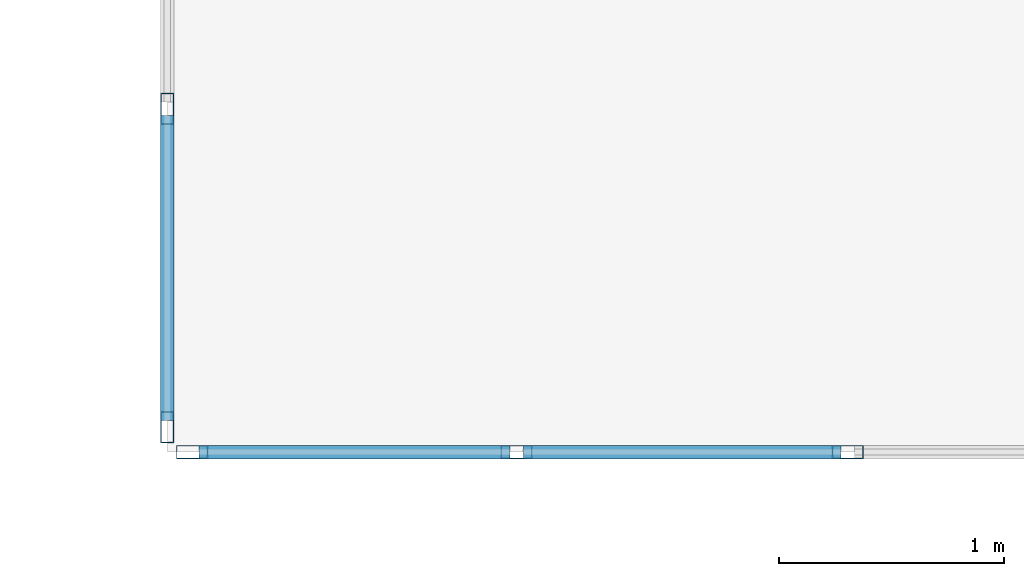
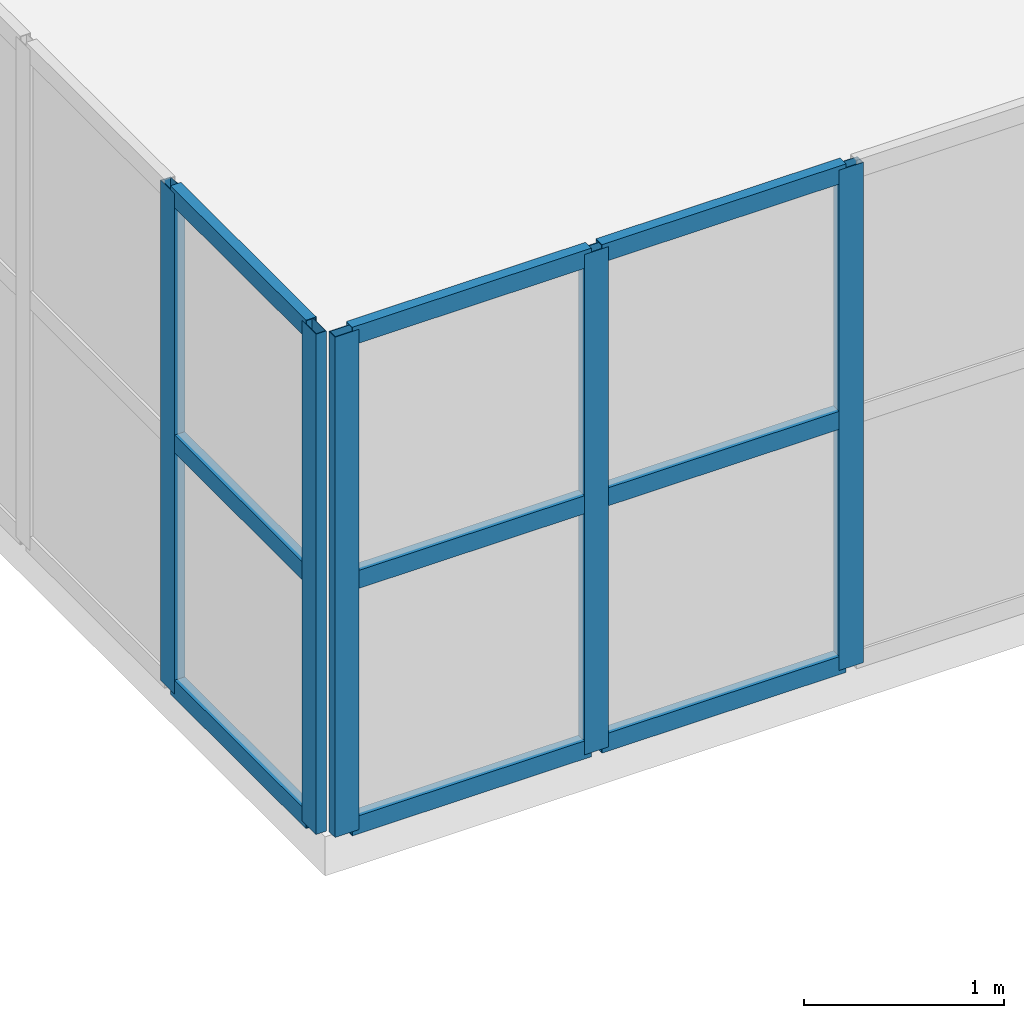
# One storey, part 40 of 148: 14 members, 2 elements without a shape of their own.
"""IFC4 building model written with IfcOpenShell, lengths in metres."""

from ifc_helpers import new_model, si_unit, direction, frame, origin, origin_2d, place, context, subcontext, project, spatial, hollow_rectangle, extrude, material, layer, layer_set, material_profile, profile_set, type_object, element, aggregate, save


model = new_model("IFC4")

# Units and contexts
model_context = context("Model", 3, precision=1e-05, world=origin(), true_north=direction((0.0, 1.0)))
body_context = subcontext(model_context, "Body", "Model", "MODEL_VIEW")
ifc_project = project(units=[si_unit("LENGTHUNIT", "METRE"), si_unit("AREAUNIT", "SQUARE_METRE"), si_unit("VOLUMEUNIT", "CUBIC_METRE"), si_unit("PLANEANGLEUNIT", "RADIAN"), si_unit("MASSUNIT", "GRAM", prefix="KILO")], contexts=[model_context])

# Site, building, storey
site_placement = place(None, origin())
site = spatial("IfcSite", under=ifc_project, at=site_placement, CompositionType="ELEMENT")
building_placement = place(site_placement, origin())
building = spatial("IfcBuilding", under=site, at=building_placement, Name="Trelvath General Hospital", CompositionType="ELEMENT")
storey_placement = place(building_placement, frame((0.0, 0.0, 12.89990234375)))
storey = spatial("IfcBuildingStorey", under=building, at=storey_placement, Name="L03", CompositionType="ELEMENT", Elevation=12.89990234375)

# Curtain wall, members
ifc_material_1 = material(Name="Anodised aluminium and low-E glass", Category="aluminium")
ifc_layer_1 = layer(ifc_material_1, 0.14990234375)
ifc_layer_set_1 = layer_set([ifc_layer_1], Name="Anodised aluminium and low-E glass")
curtain_wall_type_1 = type_object("IfcCurtainWallType", Name="CW CrystalCube 737 306 15", PredefinedType="USERDEFINED", material=ifc_layer_set_1)
curtain_wall_1_placement = place(storey_placement, origin())
curtain_wall_1 = element("IfcCurtainWall", 1, at=curtain_wall_1_placement, inside=storey, type_object=curtain_wall_type_1, Name="Crystal Cube Curtain Wall CUBE-E-T1 S1 L03", ObjectType="Unitised Glazed Curtain Wall", PredefinedType="USERDEFINED")
ifc_material_2 = material(Name="Anodised aluminium", Category="aluminium")
ifc_material_profile_1 = material_profile(ifc_material_2, hollow_rectangle(XDim=0.06005859375, YDim=0.139892578125, WallThickness=0.00390625, at=origin_2d()), Name="RHS60x140x4")
ifc_profile_set_1 = profile_set([ifc_material_profile_1], Name="Anodised aluminium")
member_type_1 = type_object("IfcMemberType", Name="CurtainMullion 60x140", PredefinedType="MULLION", material=ifc_profile_set_1)
member_1_placement = place(storey_placement, frame((95.4267578125, 37.199951171875, 0.0), z_axis=(0.0, 0.0, 1.0), x_axis=(0.0, -1.0, 0.0)))
member_1 = element("IfcMember", 2, at=member_1_placement, type_object=member_type_1, Name="CW-244 mullion 4", PredefinedType="MULLION", context=body_context, shape_type="SweptSolid", body=[
    extrude(hollow_rectangle(XDim=0.06005859375, YDim=0.139892578125, WallThickness=0.00390625, at=origin_2d()), origin(), (0.0, 0.0, 1.0), 3.06005859375),
])
member_2_placement = place(storey_placement, frame((93.953369140625, 37.199951171875, 0.0), z_axis=(0.0, 0.0, 1.0), x_axis=(0.0, -1.0, 0.0)))
member_2 = element("IfcMember", 3, at=member_2_placement, type_object=member_type_1, Name="CW-244 mullion 5", PredefinedType="MULLION", context=body_context, shape_type="SweptSolid", body=[
    extrude(hollow_rectangle(XDim=0.06005859375, YDim=0.139892578125, WallThickness=0.00390625, at=origin_2d()), origin(), (0.0, 0.0, 1.0), 3.06005859375),
])
member_3_placement = place(storey_placement, frame((92.510009765625, 37.199951171875, 0.0), z_axis=(0.0, 0.0, 1.0), x_axis=(0.0, -1.0, 0.0)))
member_3 = element("IfcMember", 4, at=member_3_placement, type_object=member_type_1, Name="CW-244 mullion 6", PredefinedType="MULLION", context=body_context, shape_type="SweptSolid", body=[
    extrude(hollow_rectangle(XDim=0.06005859375, YDim=0.139892578125, WallThickness=0.00390625, at=origin_2d()), origin(), (0.0, 0.0, 1.0), 3.06005859375),
])

ifc_material_3 = material(Name="Anodised aluminium and low-E glass", Category="aluminium")
ifc_layer_2 = layer(ifc_material_3, 0.14990234375)
ifc_layer_set_2 = layer_set([ifc_layer_2], Name="Anodised aluminium and low-E glass")
curtain_wall_type_2 = type_object("IfcCurtainWallType", Name="CW CrystalCube 434 306 15", PredefinedType="USERDEFINED", material=ifc_layer_set_2)
curtain_wall_2_placement = place(storey_placement, origin())
curtain_wall_2 = element("IfcCurtainWall", 5, at=curtain_wall_2_placement, inside=storey, type_object=curtain_wall_type_2, Name="Crystal Cube Curtain Wall CUBE-E-T1 W1 L03", ObjectType="Unitised Glazed Curtain Wall", PredefinedType="USERDEFINED")
member_4_placement = place(storey_placement, frame((92.39990234375, 37.31005859375, 0.0), z_axis=(0.0, 0.0, 1.0), x_axis=(-1.0, 0.0, 0.0)))
member_4 = element("IfcMember", 6, at=member_4_placement, type_object=member_type_1, Name="CW-251 mullion 1", PredefinedType="MULLION", context=body_context, shape_type="SweptSolid", body=[
    extrude(hollow_rectangle(XDim=0.06005859375, YDim=0.139892578125, WallThickness=0.00390625, at=origin_2d()), origin(), (0.0, 0.0, 1.0), 3.06005859375),
])
member_5_placement = place(storey_placement, frame((92.39990234375, 38.7265625, 0.0), z_axis=(0.0, 0.0, 1.0), x_axis=(-1.0, 0.0, 0.0)))
member_5 = element("IfcMember", 7, at=member_5_placement, type_object=member_type_1, Name="CW-251 mullion 2", PredefinedType="MULLION", context=body_context, shape_type="SweptSolid", body=[
    extrude(hollow_rectangle(XDim=0.06005859375, YDim=0.139892578125, WallThickness=0.00390625, at=origin_2d()), origin(), (0.0, 0.0, 1.0), 3.06005859375),
])

# Member
ifc_material_4 = material(Name="Anodised aluminium", Category="aluminium")
ifc_material_profile_2 = material_profile(ifc_material_4, hollow_rectangle(XDim=0.06005859375, YDim=0.110107421875, WallThickness=0.00390625, at=origin_2d()), Name="RHS60x110x4")
ifc_profile_set_2 = profile_set([ifc_material_profile_2], Name="Anodised aluminium")
member_type_2 = type_object("IfcMemberType", Name="CurtainTransom 60x110", PredefinedType="USERDEFINED", material=ifc_profile_set_2)
member_6_placement = place(storey_placement, frame((95.396728515625, 37.199951171875, 0.030029296875), z_axis=(-1.0, 0.0, 0.0), x_axis=(0.0, -1.0, 0.0)))
member_6 = element("IfcMember", 8, at=member_6_placement, type_object=member_type_2, Name="CW-244 transom 4.1", ObjectType="TRANSOM", PredefinedType="USERDEFINED", context=body_context, shape_type="SweptSolid", body=[
    extrude(hollow_rectangle(XDim=0.06005859375, YDim=0.110107421875, WallThickness=0.00390625, at=origin_2d()), origin(), (0.0, 0.0, 1.0), 1.413330078125),
])

member_7_placement = place(storey_placement, frame((95.396728515625, 37.199951171875, 1.530029296875), z_axis=(-1.0, 0.0, 0.0), x_axis=(0.0, -1.0, 0.0)))
member_7 = element("IfcMember", 9, at=member_7_placement, type_object=member_type_2, Name="CW-244 transom 4.2", ObjectType="TRANSOM", PredefinedType="USERDEFINED", context=body_context, shape_type="SweptSolid", body=[
    extrude(hollow_rectangle(XDim=0.06005859375, YDim=0.110107421875, WallThickness=0.00390625, at=origin_2d()), origin(), (0.0, 0.0, 1.0), 1.413330078125),
])

member_8_placement = place(storey_placement, frame((95.396728515625, 37.199951171875, 3.030029296875), z_axis=(-1.0, 0.0, 0.0), x_axis=(0.0, -1.0, 0.0)))
member_8 = element("IfcMember", 10, at=member_8_placement, type_object=member_type_2, Name="CW-244 transom 4.3", ObjectType="TRANSOM", PredefinedType="USERDEFINED", context=body_context, shape_type="SweptSolid", body=[
    extrude(hollow_rectangle(XDim=0.06005859375, YDim=0.110107421875, WallThickness=0.00390625, at=origin_2d()), origin(), (0.0, 0.0, 1.0), 1.413330078125),
])

member_9_placement = place(storey_placement, frame((93.92333984375, 37.199951171875, 0.030029296875), z_axis=(-1.0, 0.0, 0.0), x_axis=(0.0, -1.0, 0.0)))
member_9 = element("IfcMember", 11, at=member_9_placement, type_object=member_type_2, Name="CW-244 transom 5.1", ObjectType="TRANSOM", PredefinedType="USERDEFINED", context=body_context, shape_type="SweptSolid", body=[
    extrude(hollow_rectangle(XDim=0.06005859375, YDim=0.110107421875, WallThickness=0.00390625, at=origin_2d()), origin(), (0.0, 0.0, 1.0), 1.38330078125),
])

member_10_placement = place(storey_placement, frame((93.92333984375, 37.199951171875, 1.530029296875), z_axis=(-1.0, 0.0, 0.0), x_axis=(0.0, -1.0, 0.0)))
member_10 = element("IfcMember", 12, at=member_10_placement, type_object=member_type_2, Name="CW-244 transom 5.2", ObjectType="TRANSOM", PredefinedType="USERDEFINED", context=body_context, shape_type="SweptSolid", body=[
    extrude(hollow_rectangle(XDim=0.06005859375, YDim=0.110107421875, WallThickness=0.00390625, at=origin_2d()), origin(), (0.0, 0.0, 1.0), 1.38330078125),
])

member_11_placement = place(storey_placement, frame((93.92333984375, 37.199951171875, 3.030029296875), z_axis=(-1.0, 0.0, 0.0), x_axis=(0.0, -1.0, 0.0)))
member_11 = element("IfcMember", 13, at=member_11_placement, type_object=member_type_2, Name="CW-244 transom 5.3", ObjectType="TRANSOM", PredefinedType="USERDEFINED", context=body_context, shape_type="SweptSolid", body=[
    extrude(hollow_rectangle(XDim=0.06005859375, YDim=0.110107421875, WallThickness=0.00390625, at=origin_2d()), origin(), (0.0, 0.0, 1.0), 1.38330078125),
])

aggregate(curtain_wall_1, [member_1, member_2, member_3, member_6, member_7, member_8, member_9, member_10, member_11])

member_12_placement = place(storey_placement, frame((92.39990234375, 37.340087890625, 0.030029296875), z_axis=(0.0, 1.0, 0.0), x_axis=(-1.0, 0.0, 0.0)))
member_12 = element("IfcMember", 14, at=member_12_placement, type_object=member_type_2, Name="CW-251 transom 1.1", ObjectType="TRANSOM", PredefinedType="USERDEFINED", context=body_context, shape_type="SweptSolid", body=[
    extrude(hollow_rectangle(XDim=0.06005859375, YDim=0.110107421875, WallThickness=0.00390625, at=origin_2d()), origin(), (0.0, 0.0, 1.0), 1.356689453125),
])

member_13_placement = place(storey_placement, frame((92.39990234375, 37.340087890625, 1.530029296875), z_axis=(0.0, 1.0, 0.0), x_axis=(-1.0, 0.0, 0.0)))
member_13 = element("IfcMember", 15, at=member_13_placement, type_object=member_type_2, Name="CW-251 transom 1.2", ObjectType="TRANSOM", PredefinedType="USERDEFINED", context=body_context, shape_type="SweptSolid", body=[
    extrude(hollow_rectangle(XDim=0.06005859375, YDim=0.110107421875, WallThickness=0.00390625, at=origin_2d()), origin(), (0.0, 0.0, 1.0), 1.356689453125),
])

member_14_placement = place(storey_placement, frame((92.39990234375, 37.340087890625, 3.030029296875), z_axis=(0.0, 1.0, 0.0), x_axis=(-1.0, 0.0, 0.0)))
member_14 = element("IfcMember", 16, at=member_14_placement, type_object=member_type_2, Name="CW-251 transom 1.3", ObjectType="TRANSOM", PredefinedType="USERDEFINED", context=body_context, shape_type="SweptSolid", body=[
    extrude(hollow_rectangle(XDim=0.06005859375, YDim=0.110107421875, WallThickness=0.00390625, at=origin_2d()), origin(), (0.0, 0.0, 1.0), 1.356689453125),
])

aggregate(curtain_wall_2, [member_4, member_5, member_12, member_13, member_14])

save(model, "model.ifc")
